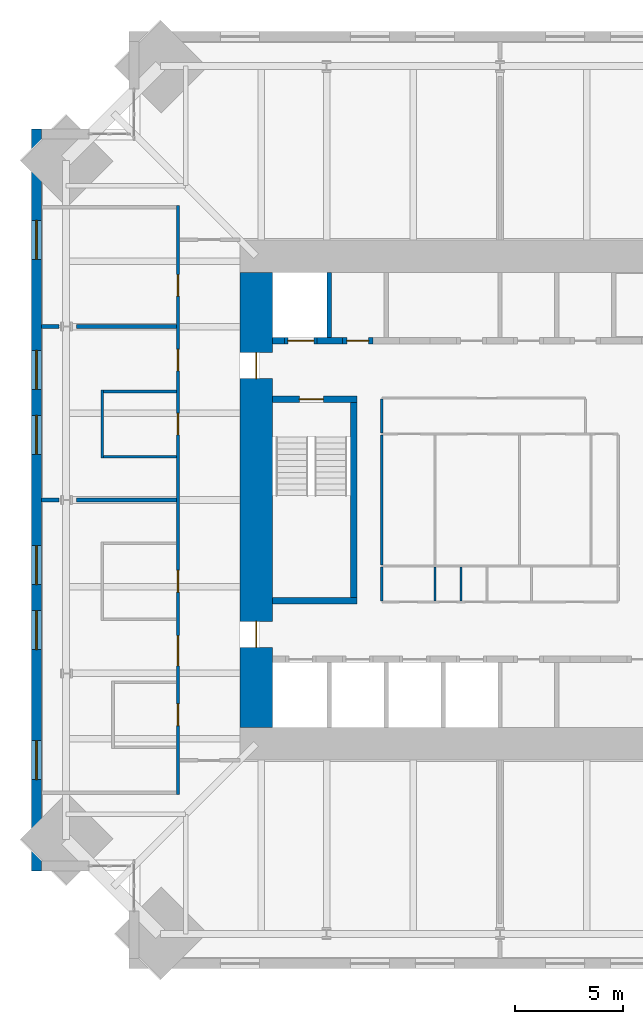
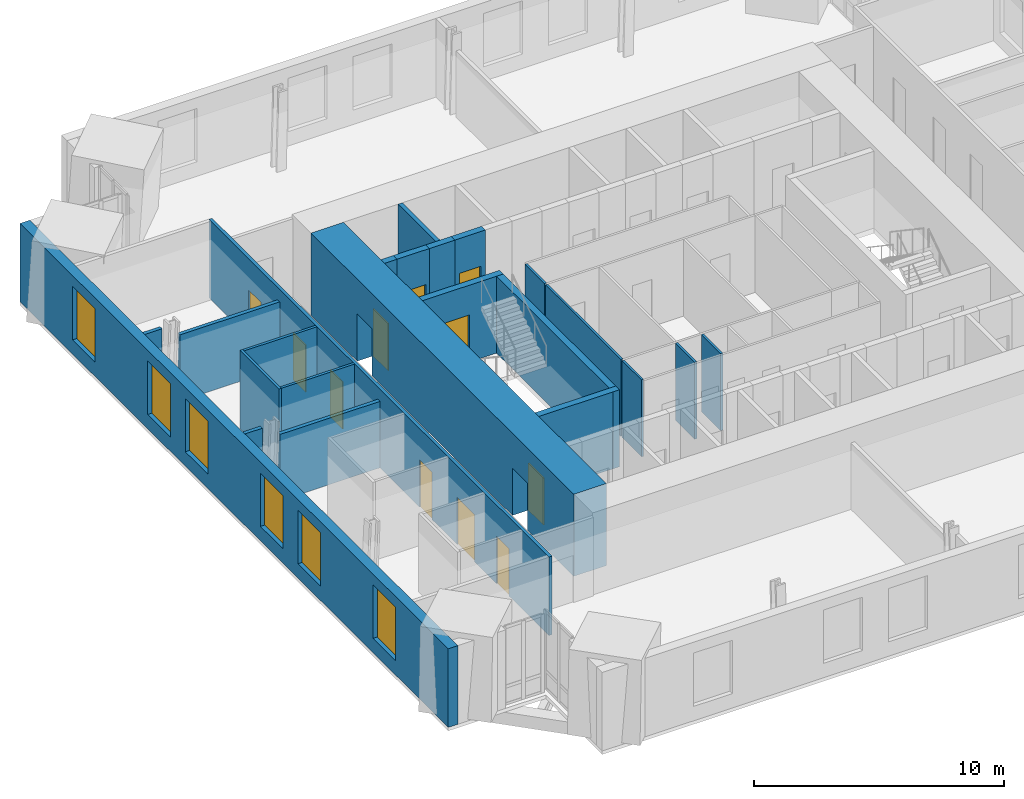
# One storey, part 12 of 16: 23 walls, 11 doors, 6 windows, 17 openings.
"""IFC4 building model written with IfcOpenShell, lengths in metres."""

import ifcopenshell
import ifcopenshell.guid

model = None  # the IFC model being written
_history = None  # IfcOwnerHistory: only IFC2X3 demands one
_inside = {}  # id of a spatial element -> (the spatial element, [elements in it])
_under = {}  # id of a project, library or spatial element -> (it, [spatial elements below it])
_declared = {}  # id of a project -> (the project, [libraries it declares])
_typed = {}  # id of a type object -> (the type object, [elements of that type])
_made_of = {}  # id of a material, layer set ... -> (it, [elements and type objects made of it])


def new_model(schema):
    """Start an empty IFC model of exactly this schema.

    Asked for "IFC4X3", IfcOpenShell would pick the latest addendum, in which some entities
    have other attributes; the version numbers below select the first issue.
    IFC2X3 requires an IfcOwnerHistory on every rooted entity: one is made here for all.
    """
    global model, _history
    if schema == "IFC4X3":
        model = ifcopenshell.file(schema_version=(4, 3, 0, 0))
    else:
        model = ifcopenshell.file(schema=schema)
    _inside.clear()
    _under.clear()
    _declared.clear()
    _typed.clear()
    _made_of.clear()
    _history = None
    if model.schema == "IFC2X3":
        org = make("IfcOrganization", Name="unknown")
        user = make(
            "IfcPersonAndOrganization",
            ThePerson=make("IfcPerson", FamilyName="unknown"),
            TheOrganization=org,
        )
        app = make(
            "IfcApplication",
            ApplicationDeveloper=org,
            Version="unknown",
            ApplicationFullName="unknown",
            ApplicationIdentifier="unknown",
        )
        _history = make(
            "IfcOwnerHistory",
            OwningUser=user,
            OwningApplication=app,
            ChangeAction="ADDED",
            CreationDate=0,
        )
    return model


def make(cls, **values):
    """One entity of the class cls with the attributes given. An attribute that is None is left unset."""
    return model.create_entity(
        cls, **{name: value for name, value in values.items() if value is not None}
    )


def rooted(cls, **values):
    """An entity with a GlobalId (a new one), such as an element, a storey or a relation."""
    return make(cls, GlobalId=ifcopenshell.guid.new(), OwnerHistory=_history, **values)


def si_unit(unit_type, name, prefix=None):
    """IfcSIUnit, for example si_unit("LENGTHUNIT", "METRE", prefix="MILLI")."""
    return make("IfcSIUnit", UnitType=unit_type, Prefix=prefix, Name=name)


def assignment(units):
    """IfcUnitAssignment: the units of a project."""
    return None if units is None else make("IfcUnitAssignment", Units=units)


def point(xyz):
    """IfcCartesianPoint."""
    return None if xyz is None else make("IfcCartesianPoint", Coordinates=xyz)


def direction(xyz):
    """IfcDirection."""
    return None if xyz is None else make("IfcDirection", DirectionRatios=xyz)


def frame(location, z_axis=None, x_axis=None):
    """IfcAxis2Placement3D, a coordinate frame: its origin and axes. An axis left out is left unset."""
    return make(
        "IfcAxis2Placement3D",
        Location=point(location),
        Axis=direction(z_axis),
        RefDirection=direction(x_axis),
    )


def frame_2d(location, x_axis=None):
    """IfcAxis2Placement2D, a coordinate frame in the plane: its origin and x axis."""
    return make(
        "IfcAxis2Placement2D", Location=point(location), RefDirection=direction(x_axis)
    )


def origin():
    """The frame at (0, 0, 0) with its axes left unset."""
    return frame((0.0, 0.0, 0.0))


def place(relative_to, where):
    """IfcLocalPlacement: puts the frame where relative to a parent placement (None: the world)."""
    return make(
        "IfcLocalPlacement", PlacementRelTo=relative_to, RelativePlacement=where
    )


def context(
    kind, dimensions, precision=None, world=None, true_north=None, identifier=None
):
    """IfcGeometricRepresentationContext, for example the 3D "Model" context."""
    return make(
        "IfcGeometricRepresentationContext",
        ContextIdentifier=identifier,
        ContextType=kind,
        CoordinateSpaceDimension=dimensions,
        Precision=precision,
        WorldCoordinateSystem=world,
        TrueNorth=true_north,
    )


def subcontext(parent, identifier, kind, view, scale=None):
    """IfcGeometricRepresentationSubContext, for example "Body" below "Model"."""
    return make(
        "IfcGeometricRepresentationSubContext",
        ContextIdentifier=identifier,
        ContextType=kind,
        ParentContext=parent,
        TargetScale=scale,
        TargetView=view,
    )


def project(units=None, contexts=None):
    """IfcProject with its units and contexts."""
    return rooted(
        "IfcProject",
        Name="project",
        RepresentationContexts=contexts,
        UnitsInContext=assignment(units),
    )


def spatial(cls, under=None, at=None, **own):
    """A site, building, storey or space (cls), placed at a placement, below another one or the project."""
    s = rooted(cls, ObjectPlacement=at, **own)
    if under is not None:
        _under.setdefault(under.id(), (under, []))[1].append(s)
    return s


def profile(cls, at=None, kind="AREA", **sizes):
    """A parametric profile (cls). Its sizes go by their IFC names, for example OverallWidth=200.0."""
    return make(cls, ProfileType=kind, Position=at, **sizes)


def rectangle(**sizes):
    """IfcRectangleProfileDef."""
    return profile("IfcRectangleProfileDef", **sizes)


def extrude(swept, where, along, depth):
    """IfcExtrudedAreaSolid: the profile swept, set in the frame where, extruded along a direction by depth."""
    return make(
        "IfcExtrudedAreaSolid",
        SweptArea=swept,
        Position=where,
        ExtrudedDirection=direction(along),
        Depth=depth,
    )


def shape(context_of_items, identifier, shape_type, items):
    """IfcShapeRepresentation: the items that make up one representation, for example the "Body"."""
    return make(
        "IfcShapeRepresentation",
        ContextOfItems=context_of_items,
        RepresentationIdentifier=identifier,
        RepresentationType=shape_type,
        Items=items,
    )


def material(Name=None, Category=None):
    """IfcMaterial."""
    return make("IfcMaterial", Name=Name, Category=Category)


def layer(
    of_material, thickness, ventilated=None, Name=None, Category=None, Priority=None
):
    """IfcMaterialLayer: one layer of a wall or slab, of a material (None: an air gap)."""
    return make(
        "IfcMaterialLayer",
        Material=of_material,
        LayerThickness=thickness,
        IsVentilated=ventilated,
        Name=Name,
        Category=Category,
        Priority=Priority,
    )


def layer_set(layers, Name=None):
    """IfcMaterialLayerSet."""
    return make("IfcMaterialLayerSet", MaterialLayers=layers, LayerSetName=Name)


def made_of(thing, what):
    """Note that an element or type object is made of a material, layer set ...; save() writes the relation."""
    if what is not None:
        _made_of.setdefault(what.id(), (what, []))[1].append(thing)
    return thing


def type_object(cls, material=None, **own):
    """A type object (cls), such as IfcWallType, which elements share."""
    return made_of(rooted(cls, **own), material)


def element(
    cls,
    number,
    at=None,
    inside=None,
    cuts=None,
    type_object=None,
    material=None,
    context=None,
    identifier="Body",
    shape_type=None,
    held_by="IfcProductDefinitionShape",
    body=None,
    shapes=None,
    **own,
):
    """One element of the class cls, such as IfcWall. Its Tag is "e" and its number.

    at: its placement. inside: the storey or other place that contains it. cuts: it is an
    opening in that element (IfcRelVoidsElement). A single representation is given by context,
    identifier, shape_type and body (its items); several are given by shapes. held_by: the class
    of the entity that holds the representations. save() writes the other relations.
    """
    e = rooted(cls, Tag="e%d" % number, ObjectPlacement=at, **own)
    if body is not None:
        shapes = [shape(context, identifier, shape_type, body)]
    if shapes is not None:
        e.Representation = make(held_by, Representations=shapes)
    if inside is not None:
        _inside.setdefault(inside.id(), (inside, []))[1].append(e)
    if cuts is not None:
        rooted(
            "IfcRelVoidsElement", RelatingBuildingElement=cuts, RelatedOpeningElement=e
        )
    if type_object is not None:
        _typed.setdefault(type_object.id(), (type_object, []))[1].append(e)
    return made_of(e, material)


def fill(opening, filler):
    """IfcRelFillsElement: the door or window that sits in an opening."""
    return rooted(
        "IfcRelFillsElement",
        RelatingOpeningElement=opening,
        RelatedBuildingElement=filler,
    )


def aggregate(whole, parts):
    """IfcRelAggregates: a whole, such as a stair, and the parts it consists of."""
    return rooted("IfcRelAggregates", RelatingObject=whole, RelatedObjects=parts)


def save(model, path):
    """Write the relations noted so far, then the file.

    IfcRelAggregates (storeys below a building ...), IfcRelContainedInSpatialStructure (elements
    in a storey), IfcRelDefinesByType, IfcRelAssociatesMaterial and IfcRelDeclares: one each for
    every whole, place, type object, material and project.
    """
    for whole, parts in _under.values():
        aggregate(whole, parts)
    for where, things in _inside.values():
        rooted(
            "IfcRelContainedInSpatialStructure",
            RelatedElements=things,
            RelatingStructure=where,
        )
    for kind, things in _typed.values():
        rooted("IfcRelDefinesByType", RelatedObjects=things, RelatingType=kind)
    for what, things in _made_of.values():
        rooted("IfcRelAssociatesMaterial", RelatedObjects=things, RelatingMaterial=what)
    for by, libraries in _declared.values():
        rooted("IfcRelDeclares", RelatingContext=by, RelatedDefinitions=libraries)
    model.write(path)


model = new_model("IFC4")

# Units and contexts
model_context = context("Model", 3, precision=1e-05, world=origin(), true_north=direction((0.0, 1.0)))
body_context = subcontext(model_context, "Body", "Model", "MODEL_VIEW")
ifc_project = project(units=[si_unit("LENGTHUNIT", "METRE"), si_unit("AREAUNIT", "SQUARE_METRE"), si_unit("VOLUMEUNIT", "CUBIC_METRE"), si_unit("PLANEANGLEUNIT", "RADIAN"), si_unit("MASSUNIT", "GRAM", prefix="KILO")], contexts=[model_context])

# Site, building, storey
site_placement = place(None, origin())
site = spatial("IfcSite", under=ifc_project, at=site_placement, CompositionType="ELEMENT")
building_placement = place(site_placement, origin())
building = spatial("IfcBuilding", under=site, at=building_placement, Name="Peilmerk Tower", CompositionType="ELEMENT")
storey_placement = place(building_placement, frame((0.0, 0.0, 269.800048828125)))
storey = spatial("IfcBuildingStorey", under=building, at=storey_placement, Name="L60", CompositionType="ELEMENT", Elevation=269.800048828125)

# Wall, openings, windows
ifc_material_1 = material(Name="Precast concrete C45/55, board-marked finish", Category="concrete")
ifc_layer_1 = layer(ifc_material_1, 0.449951171875)
ifc_layer_set_1 = layer_set([ifc_layer_1], Name="Precast concrete C45/55, board-marked finish")
wall_type_1 = type_object("IfcWallType", Name="EW1 450 precast concrete facade wall, board-marked", PredefinedType="SOLIDWALL", material=ifc_layer_set_1)
wall_1_placement = place(storey_placement, frame((-21.375, 17.10009765625, 0.0), z_axis=(0.0, 0.0, 1.0), x_axis=(0.0, -1.0, 0.0)))
wall_1 = element("IfcWall", 1, at=wall_1_placement, inside=storey, type_object=wall_type_1, Name="Facade wall W L60", PredefinedType="SOLIDWALL", context=body_context, shape_type="SweptSolid", body=[
    extrude(rectangle(XDim=34.2001953125, YDim=0.449951171875, at=frame_2d((17.10009765625, 0.0))), origin(), (0.0, 0.0, 1.0), 3.829833984375),
])
opening_1_placement = place(wall_1_placement, frame((4.199951171875, 0.0, 0.699951171875)))
opening_1 = element("IfcOpeningElement", 2, at=opening_1_placement, cuts=wall_1, Name="Opening W1", PredefinedType="OPENING", context=body_context, shape_type="SweptSolid", body=[
    extrude(rectangle(XDim=1.800048828125, YDim=2.60009765625, at=frame_2d((0.89990234375, 1.300048828125))), frame((0.0, 0.23486328125, 0.0), z_axis=(0.0, -1.0, 0.0), x_axis=(1.0, 0.0, 0.0)), (0.0, 0.0, 1.0), 0.469970703125),
])
opening_2_placement = place(wall_1_placement, frame((10.199951171875, 0.0, 0.699951171875)))
opening_2 = element("IfcOpeningElement", 3, at=opening_2_placement, cuts=wall_1, Name="Opening W1", PredefinedType="OPENING", context=body_context, shape_type="SweptSolid", body=[
    extrude(rectangle(XDim=1.800048828125, YDim=2.60009765625, at=frame_2d((0.89990234375, 1.300048828125))), frame((0.0, 0.23486328125, 0.0), z_axis=(0.0, -1.0, 0.0), x_axis=(1.0, 0.0, 0.0)), (0.0, 0.0, 1.0), 0.469970703125),
])
opening_3_placement = place(wall_1_placement, frame((13.199951171875, 0.0, 0.699951171875)))
opening_3 = element("IfcOpeningElement", 4, at=opening_3_placement, cuts=wall_1, Name="Opening W1", PredefinedType="OPENING", context=body_context, shape_type="SweptSolid", body=[
    extrude(rectangle(XDim=1.800048828125, YDim=2.60009765625, at=frame_2d((0.89990234375, 1.300048828125))), frame((0.0, 0.23486328125, 0.0), z_axis=(0.0, -1.0, 0.0), x_axis=(1.0, 0.0, 0.0)), (0.0, 0.0, 1.0), 0.469970703125),
])
opening_4_placement = place(wall_1_placement, frame((19.199951171875, 0.0, 0.699951171875)))
opening_4 = element("IfcOpeningElement", 5, at=opening_4_placement, cuts=wall_1, Name="Opening W1", PredefinedType="OPENING", context=body_context, shape_type="SweptSolid", body=[
    extrude(rectangle(XDim=1.800048828125, YDim=2.60009765625, at=frame_2d((0.89990234375, 1.300048828125))), frame((0.0, 0.23486328125, 0.0), z_axis=(0.0, -1.0, 0.0), x_axis=(1.0, 0.0, 0.0)), (0.0, 0.0, 1.0), 0.469970703125),
])
opening_5_placement = place(wall_1_placement, frame((22.199951171875, 0.0, 0.699951171875)))
opening_5 = element("IfcOpeningElement", 6, at=opening_5_placement, cuts=wall_1, Name="Opening W1", PredefinedType="OPENING", context=body_context, shape_type="SweptSolid", body=[
    extrude(rectangle(XDim=1.800048828125, YDim=2.60009765625, at=frame_2d((0.89990234375, 1.300048828125))), frame((0.0, 0.23486328125, 0.0), z_axis=(0.0, -1.0, 0.0), x_axis=(1.0, 0.0, 0.0)), (0.0, 0.0, 1.0), 0.469970703125),
])
opening_6_placement = place(wall_1_placement, frame((28.199951171875, 0.0, 0.699951171875)))
opening_6 = element("IfcOpeningElement", 7, at=opening_6_placement, cuts=wall_1, Name="Opening W1", PredefinedType="OPENING", context=body_context, shape_type="SweptSolid", body=[
    extrude(rectangle(XDim=1.800048828125, YDim=2.60009765625, at=frame_2d((0.89990234375, 1.300048828125))), frame((0.0, 0.23486328125, 0.0), z_axis=(0.0, -1.0, 0.0), x_axis=(1.0, 0.0, 0.0)), (0.0, 0.0, 1.0), 0.469970703125),
])
ifc_material_2 = material(Name="Aluminium frame, clear double glazing", Category="aluminium")
window_type = type_object("IfcWindowType", Name="W1 1800x2600 office window", PartitioningType="SINGLE_PANEL", PredefinedType="WINDOW", material=ifc_material_2)
window_1_placement = place(opening_1_placement, origin())
window_1 = element("IfcWindow", 8, at=window_1_placement, inside=storey, type_object=window_type, Name="Window W1 L60", OverallHeight=2.60009765625, OverallWidth=1.800048828125, PartitioningType="SINGLE_PANEL", PredefinedType="WINDOW", context=body_context, shape_type="SweptSolid", body=[
    extrude(rectangle(XDim=1.800048828125, YDim=2.60009765625, at=frame_2d((0.89990234375, 1.300048828125))), frame((0.0, 0.030029296875, 0.0), z_axis=(0.0, -1.0, 0.0), x_axis=(1.0, 0.0, 0.0)), (0.0, 0.0, 1.0), 0.06005859375),
])
fill(opening_1, window_1)
window_2_placement = place(opening_2_placement, origin())
window_2 = element("IfcWindow", 9, at=window_2_placement, inside=storey, type_object=window_type, Name="Window W1 L60", OverallHeight=2.60009765625, OverallWidth=1.800048828125, PartitioningType="SINGLE_PANEL", PredefinedType="WINDOW", context=body_context, shape_type="SweptSolid", body=[
    extrude(rectangle(XDim=1.800048828125, YDim=2.60009765625, at=frame_2d((0.89990234375, 1.300048828125))), frame((0.0, 0.030029296875, 0.0), z_axis=(0.0, -1.0, 0.0), x_axis=(1.0, 0.0, 0.0)), (0.0, 0.0, 1.0), 0.06005859375),
])
fill(opening_2, window_2)
window_3_placement = place(opening_3_placement, origin())
window_3 = element("IfcWindow", 10, at=window_3_placement, inside=storey, type_object=window_type, Name="Window W1 L60", OverallHeight=2.60009765625, OverallWidth=1.800048828125, PartitioningType="SINGLE_PANEL", PredefinedType="WINDOW", context=body_context, shape_type="SweptSolid", body=[
    extrude(rectangle(XDim=1.800048828125, YDim=2.60009765625, at=frame_2d((0.89990234375, 1.300048828125))), frame((0.0, 0.030029296875, 0.0), z_axis=(0.0, -1.0, 0.0), x_axis=(1.0, 0.0, 0.0)), (0.0, 0.0, 1.0), 0.06005859375),
])
fill(opening_3, window_3)
window_4_placement = place(opening_4_placement, origin())
window_4 = element("IfcWindow", 11, at=window_4_placement, inside=storey, type_object=window_type, Name="Window W1 L60", OverallHeight=2.60009765625, OverallWidth=1.800048828125, PartitioningType="SINGLE_PANEL", PredefinedType="WINDOW", context=body_context, shape_type="SweptSolid", body=[
    extrude(rectangle(XDim=1.800048828125, YDim=2.60009765625, at=frame_2d((0.89990234375, 1.300048828125))), frame((0.0, 0.030029296875, 0.0), z_axis=(0.0, -1.0, 0.0), x_axis=(1.0, 0.0, 0.0)), (0.0, 0.0, 1.0), 0.06005859375),
])
fill(opening_4, window_4)
window_5_placement = place(opening_5_placement, origin())
window_5 = element("IfcWindow", 12, at=window_5_placement, inside=storey, type_object=window_type, Name="Window W1 L60", OverallHeight=2.60009765625, OverallWidth=1.800048828125, PartitioningType="SINGLE_PANEL", PredefinedType="WINDOW", context=body_context, shape_type="SweptSolid", body=[
    extrude(rectangle(XDim=1.800048828125, YDim=2.60009765625, at=frame_2d((0.89990234375, 1.300048828125))), frame((0.0, 0.030029296875, 0.0), z_axis=(0.0, -1.0, 0.0), x_axis=(1.0, 0.0, 0.0)), (0.0, 0.0, 1.0), 0.06005859375),
])
fill(opening_5, window_5)
window_6_placement = place(opening_6_placement, origin())
window_6 = element("IfcWindow", 13, at=window_6_placement, inside=storey, type_object=window_type, Name="Window W1 L60", OverallHeight=2.60009765625, OverallWidth=1.800048828125, PartitioningType="SINGLE_PANEL", PredefinedType="WINDOW", context=body_context, shape_type="SweptSolid", body=[
    extrude(rectangle(XDim=1.800048828125, YDim=2.60009765625, at=frame_2d((0.89990234375, 1.300048828125))), frame((0.0, 0.030029296875, 0.0), z_axis=(0.0, -1.0, 0.0), x_axis=(1.0, 0.0, 0.0)), (0.0, 0.0, 1.0), 0.06005859375),
])
fill(opening_6, window_6)

# Wall, openings, doors
ifc_material_3 = material(Name="Calcium silicate block", Category="masonry")
ifc_layer_2 = layer(ifc_material_3, 0.14990234375)
ifc_layer_set_2 = layer_set([ifc_layer_2], Name="Calcium silicate block")
wall_type_2 = type_object("IfcWallType", Name="IW1 150 corridor partition, EI 60", PredefinedType="PARTITIONING", material=ifc_layer_set_2)
wall_2_placement = place(storey_placement, frame((-14.85009765625, 13.574951171875, 0.0), z_axis=(0.0, 0.0, 1.0), x_axis=(0.0, -1.0, 0.0)))
wall_2 = element("IfcWall", 14, at=wall_2_placement, inside=storey, type_object=wall_type_2, Name="Corridor wall W L60", PredefinedType="PARTITIONING", context=body_context, shape_type="SweptSolid", body=[
    extrude(rectangle(XDim=27.14990234375, YDim=0.14990234375, at=frame_2d((13.574951171875, 0.0))), origin(), (0.0, 0.0, 1.0), 3.829833984375),
])
opening_7_placement = place(wall_2_placement, frame((19.824951171875, 0.0, 0.0)))
opening_7 = element("IfcOpeningElement", 15, at=opening_7_placement, cuts=wall_2, Name="Opening D8", PredefinedType="OPENING", context=body_context, shape_type="SweptSolid", body=[
    extrude(rectangle(XDim=1.39990234375, YDim=2.300048828125, at=frame_2d((0.699951171875, 1.14990234375))), frame((0.0, 0.0849609375, 0.0), z_axis=(0.0, -1.0, 0.0), x_axis=(1.0, 0.0, 0.0)), (0.0, 0.0, 1.0), 0.169921875),
])
opening_8_placement = place(wall_2_placement, frame((6.625, 0.0, 0.0)))
opening_8 = element("IfcOpeningElement", 16, at=opening_8_placement, cuts=wall_2, Name="Opening D1", PredefinedType="OPENING", context=body_context, shape_type="SweptSolid", body=[
    extrude(rectangle(XDim=1.0, YDim=2.300048828125, at=frame_2d((0.5, 1.14990234375))), frame((0.0, 0.0849609375, 0.0), z_axis=(0.0, -1.0, 0.0), x_axis=(1.0, 0.0, 0.0)), (0.0, 0.0, 1.0), 0.169921875),
])
opening_9_placement = place(wall_2_placement, frame((3.175048828125, 0.0, 0.0)))
opening_9 = element("IfcOpeningElement", 17, at=opening_9_placement, cuts=wall_2, Name="Opening D1", PredefinedType="OPENING", context=body_context, shape_type="SweptSolid", body=[
    extrude(rectangle(XDim=1.0, YDim=2.300048828125, at=frame_2d((0.5, 1.14990234375))), frame((0.0, 0.0849609375, 0.0), z_axis=(0.0, -1.0, 0.0), x_axis=(1.0, 0.0, 0.0)), (0.0, 0.0, 1.0), 0.169921875),
])
opening_10_placement = place(wall_2_placement, frame((9.574951171875, 0.0, 0.0)))
opening_10 = element("IfcOpeningElement", 18, at=opening_10_placement, cuts=wall_2, Name="Opening D1", PredefinedType="OPENING", context=body_context, shape_type="SweptSolid", body=[
    extrude(rectangle(XDim=1.0, YDim=2.300048828125, at=frame_2d((0.5, 1.14990234375))), frame((0.0, 0.0849609375, 0.0), z_axis=(0.0, -1.0, 0.0), x_axis=(1.0, 0.0, 0.0)), (0.0, 0.0, 1.0), 0.169921875),
])
opening_11_placement = place(wall_2_placement, frame((16.824951171875, 0.0, 0.0)))
opening_11 = element("IfcOpeningElement", 19, at=opening_11_placement, cuts=wall_2, Name="Opening D1", PredefinedType="OPENING", context=body_context, shape_type="SweptSolid", body=[
    extrude(rectangle(XDim=1.0, YDim=2.300048828125, at=frame_2d((0.5, 1.14990234375))), frame((0.0, 0.0849609375, 0.0), z_axis=(0.0, -1.0, 0.0), x_axis=(1.0, 0.0, 0.0)), (0.0, 0.0, 1.0), 0.169921875),
])
opening_12_placement = place(wall_2_placement, frame((22.97509765625, 0.0, 0.0)))
opening_12 = element("IfcOpeningElement", 20, at=opening_12_placement, cuts=wall_2, Name="Opening D1", PredefinedType="OPENING", context=body_context, shape_type="SweptSolid", body=[
    extrude(rectangle(XDim=1.0, YDim=2.300048828125, at=frame_2d((0.5, 1.14990234375))), frame((0.0, 0.0849609375, 0.0), z_axis=(0.0, -1.0, 0.0), x_axis=(1.0, 0.0, 0.0)), (0.0, 0.0, 1.0), 0.169921875),
])
ifc_material_4 = material(Name="Timber door in steel frame", Category="steel")
door_type_1 = type_object("IfcDoorType", Name="D1 1000x2300 room door, EI2 30", OperationType="SINGLE_SWING_LEFT", PredefinedType="DOOR", material=ifc_material_4)
door_1_placement = place(opening_8_placement, frame((1.0, 0.0, 0.0), z_axis=(0.0, 0.0, 1.0), x_axis=(-1.0, 0.0, 0.0)))
door_1 = element("IfcDoor", 21, at=door_1_placement, inside=storey, type_object=door_type_1, Name="Door Office L60", OperationType="SINGLE_SWING_LEFT", OverallHeight=2.300048828125, OverallWidth=1.0, PredefinedType="DOOR", context=body_context, shape_type="SweptSolid", body=[
    extrude(rectangle(XDim=1.0, YDim=2.300048828125, at=frame_2d((0.5, 1.14990234375))), frame((0.0, 0.02490234375, 0.0), z_axis=(0.0, -1.0, 0.0), x_axis=(1.0, 0.0, 0.0)), (0.0, 0.0, 1.0), 0.050048828125),
])
fill(opening_8, door_1)
door_2_placement = place(opening_9_placement, frame((1.0, 0.0, 0.0), z_axis=(0.0, 0.0, 1.0), x_axis=(-1.0, 0.0, 0.0)))
door_2 = element("IfcDoor", 22, at=door_2_placement, inside=storey, type_object=door_type_1, Name="Door Office L60", OperationType="SINGLE_SWING_LEFT", OverallHeight=2.300048828125, OverallWidth=1.0, PredefinedType="DOOR", context=body_context, shape_type="SweptSolid", body=[
    extrude(rectangle(XDim=1.0, YDim=2.300048828125, at=frame_2d((0.5, 1.14990234375))), frame((0.0, 0.02490234375, 0.0), z_axis=(0.0, -1.0, 0.0), x_axis=(1.0, 0.0, 0.0)), (0.0, 0.0, 1.0), 0.050048828125),
])
fill(opening_9, door_2)
door_3_placement = place(opening_10_placement, frame((1.0, 0.0, 0.0), z_axis=(0.0, 0.0, 1.0), x_axis=(-1.0, 0.0, 0.0)))
door_3 = element("IfcDoor", 23, at=door_3_placement, inside=storey, type_object=door_type_1, Name="Door Pantry L60", OperationType="SINGLE_SWING_LEFT", OverallHeight=2.300048828125, OverallWidth=1.0, PredefinedType="DOOR", context=body_context, shape_type="SweptSolid", body=[
    extrude(rectangle(XDim=1.0, YDim=2.300048828125, at=frame_2d((0.5, 1.14990234375))), frame((0.0, 0.02490234375, 0.0), z_axis=(0.0, -1.0, 0.0), x_axis=(1.0, 0.0, 0.0)), (0.0, 0.0, 1.0), 0.050048828125),
])
fill(opening_10, door_3)
door_4_placement = place(opening_11_placement, frame((1.0, 0.0, 0.0), z_axis=(0.0, 0.0, 1.0), x_axis=(-1.0, 0.0, 0.0)))
door_4 = element("IfcDoor", 24, at=door_4_placement, inside=storey, type_object=door_type_1, Name="Door Meeting room L60", OperationType="SINGLE_SWING_LEFT", OverallHeight=2.300048828125, OverallWidth=1.0, PredefinedType="DOOR", context=body_context, shape_type="SweptSolid", body=[
    extrude(rectangle(XDim=1.0, YDim=2.300048828125, at=frame_2d((0.5, 1.14990234375))), frame((0.0, 0.02490234375, 0.0), z_axis=(0.0, -1.0, 0.0), x_axis=(1.0, 0.0, 0.0)), (0.0, 0.0, 1.0), 0.050048828125),
])
fill(opening_11, door_4)
door_5_placement = place(opening_12_placement, frame((1.0, 0.0, 0.0), z_axis=(0.0, 0.0, 1.0), x_axis=(-1.0, 0.0, 0.0)))
door_5 = element("IfcDoor", 25, at=door_5_placement, inside=storey, type_object=door_type_1, Name="Door Quiet room L60", OperationType="SINGLE_SWING_LEFT", OverallHeight=2.300048828125, OverallWidth=1.0, PredefinedType="DOOR", context=body_context, shape_type="SweptSolid", body=[
    extrude(rectangle(XDim=1.0, YDim=2.300048828125, at=frame_2d((0.5, 1.14990234375))), frame((0.0, 0.02490234375, 0.0), z_axis=(0.0, -1.0, 0.0), x_axis=(1.0, 0.0, 0.0)), (0.0, 0.0, 1.0), 0.050048828125),
])
fill(opening_12, door_5)
door_type_2 = type_object("IfcDoorType", Name="D8 1400x2300 leaf-and-a-half door, EI2 30", OperationType="DOUBLE_DOOR_SINGLE_SWING", PredefinedType="DOOR", material=ifc_material_4)
door_6_placement = place(opening_7_placement, frame((1.39990234375, 0.0, 0.0), z_axis=(0.0, 0.0, 1.0), x_axis=(-1.0, 0.0, 0.0)))
door_6 = element("IfcDoor", 26, at=door_6_placement, inside=storey, type_object=door_type_2, Name="Door Library L60", OperationType="DOUBLE_DOOR_SINGLE_SWING", OverallHeight=2.300048828125, OverallWidth=1.39990234375, PredefinedType="DOOR", context=body_context, shape_type="SweptSolid", body=[
    extrude(rectangle(XDim=1.39990234375, YDim=2.300048828125, at=frame_2d((0.699951171875, 1.14990234375))), frame((0.0, 0.02490234375, 0.0), z_axis=(0.0, -1.0, 0.0), x_axis=(1.0, 0.0, 0.0)), (0.0, 0.0, 1.0), 0.050048828125),
])
fill(opening_7, door_6)

# Wall
ifc_material_5 = material(Name="Concrete C35/45", Category="concrete")
ifc_layer_3 = layer(ifc_material_5, 0.300048828125)
ifc_layer_set_3 = layer_set([ifc_layer_3], Name="Concrete C35/45")
wall_type_3 = type_object("IfcWallType", Name="IW3 300 concrete stair enclosure wall, EI 120", PredefinedType="SOLIDWALL", material=ifc_layer_set_3)
wall_3_placement = place(storey_placement, frame((-6.75, -4.800048828125, 0.0), z_axis=(0.0, 0.0, 1.0), x_axis=(0.0, 1.0, 0.0)))
element("IfcWall", 27, at=wall_3_placement, inside=storey, type_object=wall_type_3, Name="Stair 1 enclosure L60", PredefinedType="SOLIDWALL", context=body_context, shape_type="SweptSolid", body=[
    extrude(rectangle(XDim=9.60009765625, YDim=0.300048828125, at=frame_2d((4.800048828125, 0.0))), origin(), (0.0, 0.0, 1.0), 3.75),
])

# Wall, opening, door
wall_4_placement = place(storey_placement, frame((-10.5, 4.64990234375, 0.0), z_axis=(0.0, 0.0, 1.0), x_axis=(1.0, 0.0, 0.0)))
wall_4 = element("IfcWall", 28, at=wall_4_placement, inside=storey, type_object=wall_type_3, Name="Stair 1 enclosure L60", PredefinedType="SOLIDWALL", context=body_context, shape_type="SweptSolid", body=[
    extrude(rectangle(XDim=3.89990234375, YDim=0.300048828125, at=frame_2d((1.949951171875, 0.0))), origin(), (0.0, 0.0, 1.0), 3.75),
])
opening_13_placement = place(wall_4_placement, frame((1.25, 0.0, 0.0)))
opening_13 = element("IfcOpeningElement", 29, at=opening_13_placement, cuts=wall_4, Name="Opening D4", PredefinedType="OPENING", context=body_context, shape_type="SweptSolid", body=[
    extrude(rectangle(XDim=1.10009765625, YDim=2.300048828125, at=frame_2d((0.550048828125, 1.14990234375))), frame((0.0, 0.159912109375, 0.0), z_axis=(0.0, -1.0, 0.0), x_axis=(1.0, 0.0, 0.0)), (0.0, 0.0, 1.0), 0.320068359375),
])
ifc_material_6 = material(Name="Steel door in steel frame", Category="steel")
door_type_3 = type_object("IfcDoorType", Name="D4 1100x2300 stair door, EI2 60", OperationType="SINGLE_SWING_RIGHT", PredefinedType="DOOR", material=ifc_material_6)
door_7_placement = place(opening_13_placement, frame((1.10009765625, 0.0, 0.0), z_axis=(0.0, 0.0, 1.0), x_axis=(-1.0, 0.0, 0.0)))
door_7 = element("IfcDoor", 30, at=door_7_placement, inside=storey, type_object=door_type_3, Name="Stair 1 door L60", OperationType="SINGLE_SWING_RIGHT", OverallHeight=2.300048828125, OverallWidth=1.10009765625, PredefinedType="DOOR", context=body_context, shape_type="SweptSolid", body=[
    extrude(rectangle(XDim=1.10009765625, YDim=2.300048828125, at=frame_2d((0.550048828125, 1.14990234375))), frame((0.0, 0.02490234375, 0.0), z_axis=(0.0, -1.0, 0.0), x_axis=(1.0, 0.0, 0.0)), (0.0, 0.0, 1.0), 0.050048828125),
])
fill(opening_13, door_7)

# Walls
wall_5_placement = place(storey_placement, frame((-6.60009765625, -4.64990234375, 0.0), z_axis=(0.0, 0.0, 1.0), x_axis=(-1.0, 0.0, 0.0)))
element("IfcWall", 31, at=wall_5_placement, inside=storey, type_object=wall_type_3, Name="Stair 1 enclosure L60", PredefinedType="SOLIDWALL", context=body_context, shape_type="SweptSolid", body=[
    extrude(rectangle(XDim=3.89990234375, YDim=0.300048828125, at=frame_2d((1.949951171875, 0.0))), origin(), (0.0, 0.0, 1.0), 3.75),
])
ifc_material_7 = material(Name="Plasterboard on steel studs", Category="steel")
ifc_layer_4 = layer(ifc_material_7, 0.10009765625)
ifc_layer_set_4 = layer_set([ifc_layer_4], Name="Plasterboard on steel studs")
wall_type_4 = type_object("IfcWallType", Name="IW4 100 WC partition", PredefinedType="PARTITIONING", material=ifc_layer_set_4)
wall_6_placement = place(storey_placement, frame((-5.449951171875, -3.0, 0.0), z_axis=(0.0, 0.0, 1.0), x_axis=(0.0, 1.0, 0.0)))
element("IfcWall", 32, at=wall_6_placement, inside=storey, type_object=wall_type_4, Name="WC wall L60", PredefinedType="PARTITIONING", context=body_context, shape_type="SweptSolid", body=[
    extrude(rectangle(XDim=6.0, YDim=0.10009765625, at=frame_2d((3.0, 0.0))), origin(), (0.0, 0.0, 1.0), 3.75),
])
ifc_material_8 = material(Name="Calcium silicate board on steel studs", Category="steel")
ifc_layer_5 = layer(ifc_material_8, 0.10009765625)
ifc_layer_set_5 = layer_set([ifc_layer_5], Name="Calcium silicate board on steel studs")
wall_type_5 = type_object("IfcWallType", Name="IW5 100 riser enclosure wall, EI 60", PredefinedType="PARTITIONING", material=ifc_layer_set_5)
for number, where, z_axis, x_axis, name in (
    (33, (-5.449951171875, -3.10009765625, 0.0), (0.0, 0.0, 1.0), (0.0, -1.0, 0.0), "Riser wall L60"),
    (34, (-3.0, -3.10009765625, 0.0), (0.0, 0.0, 1.0), (0.0, -1.0, 0.0), "Riser wall L60"),
    (35, (-1.800048828125, -3.10009765625, 0.0), (0.0, 0.0, 1.0), (0.0, -1.0, 0.0), "Riser wall L60"),
):
    element("IfcWall", number, at=place(storey_placement, frame(where, z_axis=z_axis, x_axis=x_axis)), inside=storey, type_object=wall_type_5, Name=name, PredefinedType="PARTITIONING", context=body_context, shape_type="SweptSolid", body=[
        extrude(rectangle(XDim=1.5498046875, YDim=0.10009765625, at=frame_2d((0.77490234375, 0.0))), origin(), (0.0, 0.0, 1.0), 3.75),
    ])
ifc_material_9 = material(Name="Plasterboard on steel studs, double boarded with mineral wool", Category="steel")
ifc_layer_6 = layer(ifc_material_9, 0.125)
ifc_layer_set_6 = layer_set([ifc_layer_6], Name="Plasterboard on steel studs, double boarded with mineral wool")
wall_type_6 = type_object("IfcWallType", Name="IW7 125 acoustic partition, EI 30", PredefinedType="PARTITIONING", material=ifc_layer_set_6)
wall_7_placement = place(storey_placement, frame((-18.35009765625, 1.9375, 0.0), z_axis=(0.0, 0.0, 1.0), x_axis=(0.0, 1.0, 0.0)))
element("IfcWall", 36, at=wall_7_placement, inside=storey, type_object=wall_type_6, Name="Acoustic partition Pantry L60", PredefinedType="PARTITIONING", context=body_context, shape_type="SweptSolid", body=[
    extrude(rectangle(XDim=3.125, YDim=0.125, at=frame_2d((1.5625, 0.0))), origin(), (0.0, 0.0, 1.0), 3.829833984375),
])
for number, where, z_axis, x_axis, name in (
    (37, (-14.925048828125, 2.0, 0.0), (0.0, 0.0, 1.0), (-1.0, 0.0, 0.0), "Acoustic partition Pantry L60"),
    (38, (-14.925048828125, 5.0, 0.0), (0.0, 0.0, 1.0), (-1.0, 0.0, 0.0), "Acoustic partition Pantry L60"),
):
    element("IfcWall", number, at=place(storey_placement, frame(where, z_axis=z_axis, x_axis=x_axis)), inside=storey, type_object=wall_type_6, Name=name, PredefinedType="PARTITIONING", context=body_context, shape_type="SweptSolid", body=[
        extrude(rectangle(XDim=3.362548828125, YDim=0.125, at=frame_2d((1.68115234375, 0.0))), origin(), (0.0, 0.0, 1.0), 3.829833984375),
    ])
ifc_layer_7 = layer(ifc_material_3, 0.175048828125)
ifc_layer_set_7 = layer_set([ifc_layer_7], Name="Calcium silicate block")
wall_type_7 = type_object("IfcWallType", Name="IW8 175 tenant separating wall, EI 60", PredefinedType="PARTITIONING", material=ifc_layer_set_7)
wall_8_placement = place(storey_placement, frame((-14.925048828125, 0.0, 0.0), z_axis=(0.0, 0.0, 1.0), x_axis=(-1.0, 0.0, 0.0)))
element("IfcWall", 39, at=wall_8_placement, inside=storey, type_object=wall_type_7, Name="Tenant separating wall W1 L60", PredefinedType="PARTITIONING", context=body_context, shape_type="SweptSolid", body=[
    extrude(rectangle(XDim=4.601806640625, YDim=0.175048828125, at=frame_2d((2.30078125, 0.0))), origin(), (0.0, 0.0, 1.0), 3.239990234375),
])
wall_9_placement = place(storey_placement, frame((-20.347412109375, 0.0, 0.0), z_axis=(0.0, 0.0, 1.0), x_axis=(-1.0, 0.0, 0.0)))
element("IfcWall", 40, at=wall_9_placement, inside=storey, type_object=wall_type_7, Name="Tenant separating wall W1b L60", PredefinedType="PARTITIONING", context=body_context, shape_type="SweptSolid", body=[
    extrude(rectangle(XDim=0.802490234375, YDim=0.175048828125, at=frame_2d((0.4013671875, 0.0))), origin(), (0.0, 0.0, 1.0), 3.829833984375),
])
wall_10_placement = place(storey_placement, frame((-14.925048828125, 8.0, 0.0), z_axis=(0.0, 0.0, 1.0), x_axis=(-1.0, 0.0, 0.0)))
element("IfcWall", 41, at=wall_10_placement, inside=storey, type_object=wall_type_7, Name="Tenant separating wall W2 L60", PredefinedType="PARTITIONING", context=body_context, shape_type="SweptSolid", body=[
    extrude(rectangle(XDim=4.601806640625, YDim=0.175048828125, at=frame_2d((2.30078125, 0.0))), origin(), (0.0, 0.0, 1.0), 3.239990234375),
])
wall_11_placement = place(storey_placement, frame((-20.347412109375, 8.0, 0.0), z_axis=(0.0, 0.0, 1.0), x_axis=(-1.0, 0.0, 0.0)))
element("IfcWall", 42, at=wall_11_placement, inside=storey, type_object=wall_type_7, Name="Tenant separating wall W2b L60", PredefinedType="PARTITIONING", context=body_context, shape_type="SweptSolid", body=[
    extrude(rectangle(XDim=0.802490234375, YDim=0.175048828125, at=frame_2d((0.4013671875, 0.0))), origin(), (0.0, 0.0, 1.0), 3.829833984375),
])
ifc_material_10 = material(Name="Fire-resisting plasterboard on steel studs", Category="steel")
ifc_layer_8 = layer(ifc_material_10, 0.10009765625)
ifc_layer_set_8 = layer_set([ifc_layer_8], Name="Fire-resisting plasterboard on steel studs")
wall_type_8 = type_object("IfcWallType", Name="IW9 100 WC lobby wall, EI 30", PredefinedType="PARTITIONING", material=ifc_layer_set_8)
wall_12_placement = place(storey_placement, frame((-5.449951171875, 3.10009765625, 0.0), z_axis=(0.0, 0.0, 1.0), x_axis=(0.0, 1.0, 0.0)))
element("IfcWall", 43, at=wall_12_placement, inside=storey, type_object=wall_type_8, Name="WC lobby wall L60", PredefinedType="PARTITIONING", context=body_context, shape_type="SweptSolid", body=[
    extrude(rectangle(XDim=1.5498046875, YDim=0.10009765625, at=frame_2d((0.77490234375, 0.0))), origin(), (0.0, 0.0, 1.0), 3.75),
])
ifc_layer_9 = layer(ifc_material_3, 0.199951171875)
ifc_layer_set_9 = layer_set([ifc_layer_9], Name="Calcium silicate block")
wall_type_9 = type_object("IfcWallType", Name="SH1 200 shaft dividing wall, EI 120", PredefinedType="PARTITIONING", material=ifc_layer_set_9)
wall_13_placement = place(storey_placement, frame((-7.875, 7.5, 0.0), z_axis=(0.0, 0.0, 1.0), x_axis=(0.0, 1.0, 0.0)))
element("IfcWall", 44, at=wall_13_placement, inside=storey, type_object=wall_type_9, Name="Shaft wall N FL1 L60", PredefinedType="PARTITIONING", context=body_context, shape_type="SweptSolid", body=[
    extrude(rectangle(XDim=3.0, YDim=0.199951171875, at=frame_2d((1.5, 0.0))), origin(), (0.0, 0.0, 1.0), 4.0),
])

# Wall, opening, door
ifc_layer_10 = layer(ifc_material_3, 0.300048828125)
ifc_layer_set_10 = layer_set([ifc_layer_10], Name="Calcium silicate block")
wall_type_10 = type_object("IfcWallType", Name="SH2 300 lift landing door panel, EI 120", PredefinedType="PARTITIONING", material=ifc_layer_set_10)
wall_14_placement = place(storey_placement, frame((-9.9375, 7.35009765625, 0.0), z_axis=(0.0, 0.0, 1.0), x_axis=(1.0, 0.0, 0.0)))
wall_14 = element("IfcWall", 45, at=wall_14_placement, inside=storey, type_object=wall_type_10, Name="Lift door panel N FL1 L60", PredefinedType="PARTITIONING", context=body_context, shape_type="SweptSolid", body=[
    extrude(rectangle(XDim=1.5, YDim=0.300048828125, at=frame_2d((0.75, 0.0))), origin(), (0.0, 0.0, 1.0), 4.0),
])
opening_14_placement = place(wall_14_placement, frame((0.14990234375, 0.0, 0.0)))
opening_14 = element("IfcOpeningElement", 46, at=opening_14_placement, cuts=wall_14, Name="Opening LD2", PredefinedType="OPENING", context=body_context, shape_type="SweptSolid", body=[
    extrude(rectangle(XDim=1.199951171875, YDim=2.300048828125, at=frame_2d((0.60009765625, 1.14990234375))), frame((0.0, 0.159912109375, 0.0), z_axis=(0.0, -1.0, 0.0), x_axis=(1.0, 0.0, 0.0)), (0.0, 0.0, 1.0), 0.320068359375),
])
ifc_material_11 = material(Name="Stainless steel landing door", Category="steel")
door_type_4 = type_object("IfcDoorType", Name="LD2 1200x2300 lift landing door, sliding, EI2 60", OperationType="SLIDING_TO_LEFT", PredefinedType="DOOR", material=ifc_material_11)
door_8_placement = place(opening_14_placement, frame((1.199951171875, 0.0, 0.0), z_axis=(0.0, 0.0, 1.0), x_axis=(-1.0, 0.0, 0.0)))
door_8 = element("IfcDoor", 47, at=door_8_placement, inside=storey, type_object=door_type_4, Name="Lift landing door FL1 L60", OperationType="SLIDING_TO_LEFT", OverallHeight=2.300048828125, OverallWidth=1.199951171875, PredefinedType="DOOR", context=body_context, shape_type="SweptSolid", body=[
    extrude(rectangle(XDim=1.199951171875, YDim=2.300048828125, at=frame_2d((0.60009765625, 1.14990234375))), frame((0.0, 0.02490234375, 0.0), z_axis=(0.0, -1.0, 0.0), x_axis=(1.0, 0.0, 0.0)), (0.0, 0.0, 1.0), 0.050048828125),
])
fill(opening_14, door_8)

wall_15_placement = place(storey_placement, frame((-7.262451171875, 7.35009765625, 0.0), z_axis=(0.0, 0.0, 1.0), x_axis=(1.0, 0.0, 0.0)))
wall_15 = element("IfcWall", 48, at=wall_15_placement, inside=storey, type_object=wall_type_10, Name="Lift door panel N A1 L60", PredefinedType="PARTITIONING", context=body_context, shape_type="SweptSolid", body=[
    extrude(rectangle(XDim=1.39990234375, YDim=0.300048828125, at=frame_2d((0.699951171875, 0.0))), origin(), (0.0, 0.0, 1.0), 4.0),
])
opening_15_placement = place(wall_15_placement, frame((0.199951171875, 0.0, 0.0)))
opening_15 = element("IfcOpeningElement", 49, at=opening_15_placement, cuts=wall_15, Name="Opening D10", PredefinedType="OPENING", context=body_context, shape_type="SweptSolid", body=[
    extrude(rectangle(XDim=1.0, YDim=2.300048828125, at=frame_2d((0.5, 1.14990234375))), frame((0.0, 0.159912109375, 0.0), z_axis=(0.0, -1.0, 0.0), x_axis=(1.0, 0.0, 0.0)), (0.0, 0.0, 1.0), 0.320068359375),
])
door_type_5 = type_object("IfcDoorType", Name="D10 1000x2300 core room door, EI2 60", OperationType="SINGLE_SWING_RIGHT", PredefinedType="DOOR", material=ifc_material_6)
door_9_placement = place(opening_15_placement, origin())
door_9 = element("IfcDoor", 50, at=door_9_placement, inside=storey, type_object=door_type_5, Name="Door Staff WC L60", OperationType="SINGLE_SWING_RIGHT", OverallHeight=2.300048828125, OverallWidth=1.0, PredefinedType="DOOR", context=body_context, shape_type="SweptSolid", body=[
    extrude(rectangle(XDim=1.0, YDim=2.300048828125, at=frame_2d((0.5, 1.14990234375))), frame((0.0, 0.02490234375, 0.0), z_axis=(0.0, -1.0, 0.0), x_axis=(1.0, 0.0, 0.0)), (0.0, 0.0, 1.0), 0.050048828125),
])
fill(opening_15, door_9)

# Wall, openings, doors
ifc_material_12 = material(Name="Concrete C55/67", Category="concrete")
ifc_layer_11 = layer(ifc_material_12, 1.5)
ifc_layer_set_11 = layer_set([ifc_layer_11], Name="Concrete C55/67")
wall_type_11 = type_object("IfcWallType", Name="SW1 1500 core wall", PredefinedType="SHEAR", material=ifc_layer_set_11)
wall_16_placement = place(storey_placement, frame((-11.25, -10.5, 0.0), z_axis=(0.0, 0.0, 1.0), x_axis=(0.0, 1.0, 0.0)))
wall_16 = element("IfcWall", 51, at=wall_16_placement, inside=storey, type_object=wall_type_11, Name="Core wall W L60", PredefinedType="SHEAR", context=body_context, shape_type="SweptSolid", body=[
    extrude(rectangle(XDim=21.0, YDim=1.5, at=frame_2d((10.5, 0.0))), origin(), (0.0, 0.0, 1.0), 4.0),
])
opening_16_placement = place(wall_16_placement, frame((16.10009765625, 0.0, 0.0)))
opening_16 = element("IfcOpeningElement", 52, at=opening_16_placement, cuts=wall_16, Name="Opening D3", PredefinedType="OPENING", context=body_context, shape_type="SweptSolid", body=[
    extrude(rectangle(XDim=1.199951171875, YDim=2.300048828125, at=frame_2d((0.60009765625, 1.14990234375))), frame((0.0, 0.760009765625, 0.0), z_axis=(0.0, -1.0, 0.0), x_axis=(1.0, 0.0, 0.0)), (0.0, 0.0, 1.0), 1.52001953125),
])
opening_17_placement = place(wall_16_placement, frame((3.699951171875, 0.0, 0.0)))
opening_17 = element("IfcOpeningElement", 53, at=opening_17_placement, cuts=wall_16, Name="Opening D3", PredefinedType="OPENING", context=body_context, shape_type="SweptSolid", body=[
    extrude(rectangle(XDim=1.199951171875, YDim=2.300048828125, at=frame_2d((0.60009765625, 1.14990234375))), frame((0.0, 0.760009765625, 0.0), z_axis=(0.0, -1.0, 0.0), x_axis=(1.0, 0.0, 0.0)), (0.0, 0.0, 1.0), 1.52001953125),
])
door_type_6 = type_object("IfcDoorType", Name="D3 1200x2300 core door, EI2 60", OperationType="SINGLE_SWING_LEFT", PredefinedType="DOOR", material=ifc_material_6)
door_10_placement = place(opening_16_placement, frame((1.199951171875, 0.0, 0.0), z_axis=(0.0, 0.0, 1.0), x_axis=(-1.0, 0.0, 0.0)))
door_10 = element("IfcDoor", 54, at=door_10_placement, inside=storey, type_object=door_type_6, Name="Core door L60", OperationType="SINGLE_SWING_LEFT", OverallHeight=2.300048828125, OverallWidth=1.199951171875, PredefinedType="DOOR", context=body_context, shape_type="SweptSolid", body=[
    extrude(rectangle(XDim=1.199951171875, YDim=2.300048828125, at=frame_2d((0.60009765625, 1.14990234375))), frame((0.0, 0.02490234375, 0.0), z_axis=(0.0, -1.0, 0.0), x_axis=(1.0, 0.0, 0.0)), (0.0, 0.0, 1.0), 0.050048828125),
])
fill(opening_16, door_10)
door_11_placement = place(opening_17_placement, frame((1.199951171875, 0.0, 0.0), z_axis=(0.0, 0.0, 1.0), x_axis=(-1.0, 0.0, 0.0)))
door_11 = element("IfcDoor", 55, at=door_11_placement, inside=storey, type_object=door_type_6, Name="Core door L60", OperationType="SINGLE_SWING_LEFT", OverallHeight=2.300048828125, OverallWidth=1.199951171875, PredefinedType="DOOR", context=body_context, shape_type="SweptSolid", body=[
    extrude(rectangle(XDim=1.199951171875, YDim=2.300048828125, at=frame_2d((0.60009765625, 1.14990234375))), frame((0.0, 0.02490234375, 0.0), z_axis=(0.0, -1.0, 0.0), x_axis=(1.0, 0.0, 0.0)), (0.0, 0.0, 1.0), 0.050048828125),
])
fill(opening_17, door_11)

# Walls
ifc_layer_12 = layer(ifc_material_12, 0.300048828125)
ifc_layer_set_12 = layer_set([ifc_layer_12], Name="Concrete C55/67")
wall_type_12 = type_object("IfcWallType", Name="SW2 300 lift bank pier", PredefinedType="SHEAR", material=ifc_layer_set_12)
wall_17_placement = place(storey_placement, frame((-10.5, 7.35009765625, 0.0), z_axis=(0.0, 0.0, 1.0), x_axis=(1.0, 0.0, 0.0)))
element("IfcWall", 56, at=wall_17_placement, inside=storey, type_object=wall_type_12, Name="Lift bank pier N L60", PredefinedType="SHEAR", context=body_context, shape_type="SweptSolid", body=[
    extrude(rectangle(XDim=0.5625, YDim=0.300048828125, at=frame_2d((0.28125, 0.0))), origin(), (0.0, 0.0, 1.0), 4.0),
])
wall_18_placement = place(storey_placement, frame((-8.4375, 7.35009765625, 0.0), z_axis=(0.0, 0.0, 1.0), x_axis=(1.0, 0.0, 0.0)))
element("IfcWall", 57, at=wall_18_placement, inside=storey, type_object=wall_type_12, Name="Lift bank pier N L60", PredefinedType="SHEAR", context=body_context, shape_type="SweptSolid", body=[
    extrude(rectangle(XDim=1.175048828125, YDim=0.300048828125, at=frame_2d((0.58740234375, 0.0))), origin(), (0.0, 0.0, 1.0), 4.0),
])

save(model, "model.ifc")
